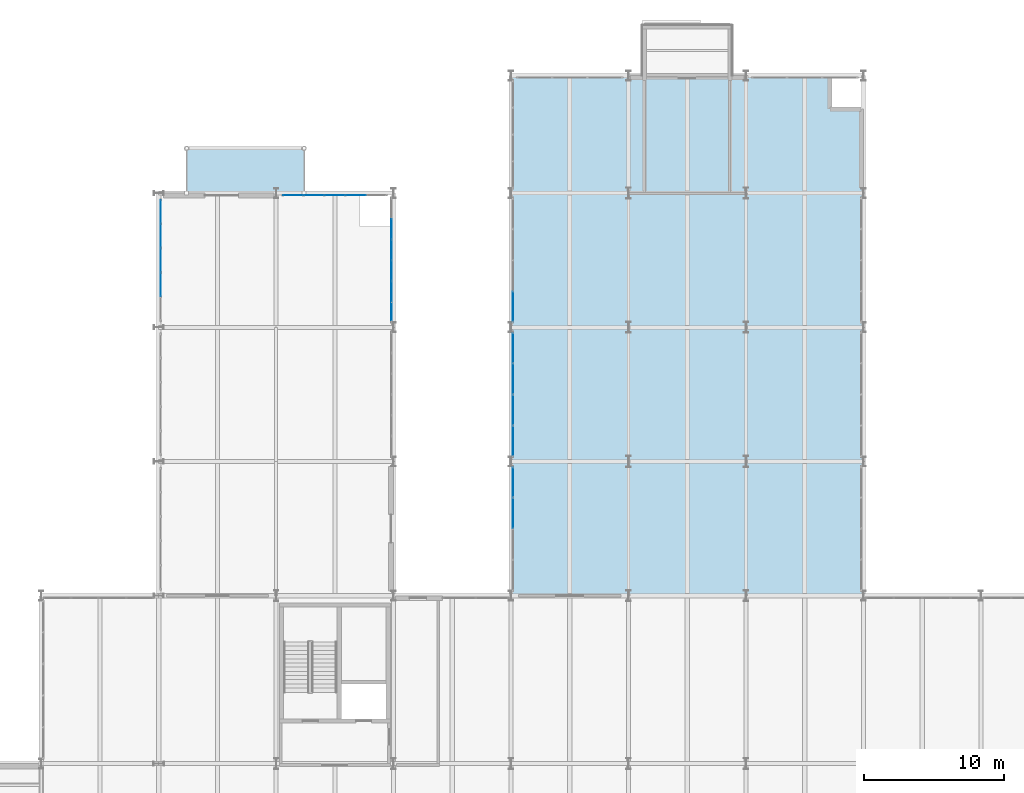
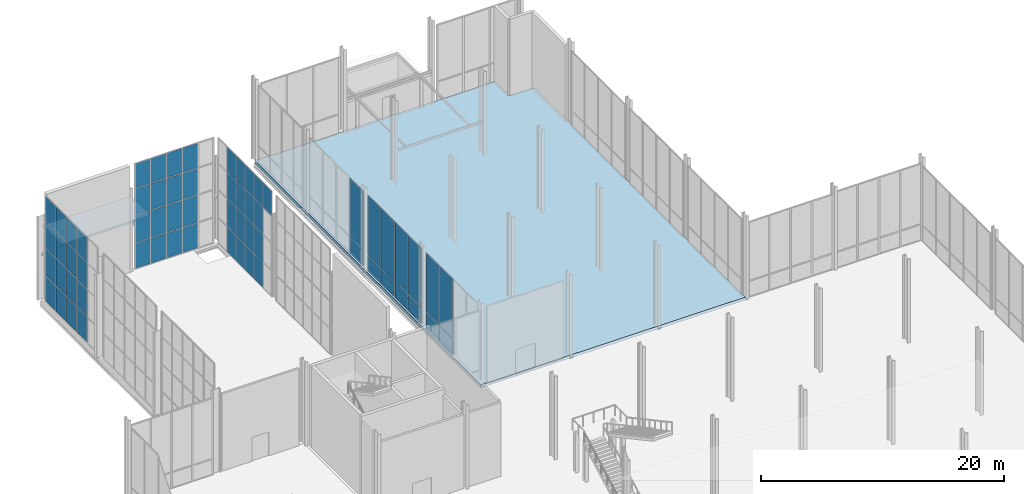
# One storey, part 104 of 131: 63 plates, 2 slabs, 6 elements without a shape of their own.
"""IFC4 building model written with IfcOpenShell, lengths in metres."""

from ifc_helpers import new_model, si_unit, direction, frame, origin, origin_2d, place, context, subcontext, project, spatial, polyline, rectangle, outline, extrude, material, layer, layer_set, type_object, element, aggregate, save


model = new_model("IFC4")

# Units and contexts
model_context = context("Model", 3, precision=1e-05, world=origin(), true_north=direction((0.0, 1.0)))
body_context = subcontext(model_context, "Body", "Model", "MODEL_VIEW")
ifc_project = project(units=[si_unit("LENGTHUNIT", "METRE"), si_unit("AREAUNIT", "SQUARE_METRE"), si_unit("VOLUMEUNIT", "CUBIC_METRE"), si_unit("PLANEANGLEUNIT", "RADIAN"), si_unit("MASSUNIT", "GRAM", prefix="KILO")], contexts=[model_context])

# Site, building, storey
site_placement = place(None, origin())
site = spatial("IfcSite", under=ifc_project, at=site_placement, CompositionType="ELEMENT")
building_placement = place(site_placement, origin())
building = spatial("IfcBuilding", under=site, at=building_placement, Name="Veltarok Museum of Natural Sciences", CompositionType="ELEMENT")
storey_placement = place(building_placement, origin())
storey = spatial("IfcBuildingStorey", under=building, at=storey_placement, Name="L00", CompositionType="ELEMENT", Elevation=0.0)

# Slabs
ifc_material_1 = material(Name="Concrete C35/45", Category="concrete")
ifc_layer_1 = layer(ifc_material_1, 0.199951171875)
ifc_layer_set_1 = layer_set([ifc_layer_1], Name="Concrete C35/45")
slab_type_1 = type_object("IfcSlabType", Name="Cantilevered Cabinet Box Roof Slab 200", PredefinedType="ROOF", material=ifc_layer_set_1)
slab_1_placement = place(storey_placement, frame((0.0, 0.0, 4.60009765625)))
element("IfcSlab", 1, at=slab_1_placement, inside=storey, type_object=slab_type_1, Name="Entrance Canopy Roof Slab CAN-N", PredefinedType="ROOF", context=body_context, shape_type="SweptSolid", body=[
    extrude(outline(polyline([(33.60009765625, 100.800048828125), (42.0, 100.800048828125), (42.0, 104.0), (33.60009765625, 104.0), (33.60009765625, 100.800048828125)])), origin(), (0.0, 0.0, 1.0), 0.199951171875),
])
ifc_layer_2 = layer(ifc_material_1, 0.300048828125)
ifc_layer_set_2 = layer_set([ifc_layer_2], Name="Concrete C35/45")
slab_type_2 = type_object("IfcSlabType", Name="Ground Level Heavy Composite Slab 300", PredefinedType="FLOOR", material=ifc_layer_set_2)
slab_2_placement = place(storey_placement, frame((0.0, 0.0, -0.300048828125)))
element("IfcSlab", 2, at=slab_2_placement, inside=storey, type_object=slab_type_2, Name="Floor Slab L00 V2N", PredefinedType="FLOOR", context=body_context, shape_type="SweptSolid", body=[
    extrude(outline(polyline([(56.800048828125, 72.0), (56.800048828125, 109.199951171875), (79.60009765625, 109.199951171875), (79.60009765625, 106.800048828125), (82.0, 106.800048828125), (82.0, 72.0), (56.800048828125, 72.0)])), origin(), (0.0, 0.0, 1.0), 0.300048828125),
])

# Curtain wall, plates
ifc_material_2 = material(Name="Low-iron triple insulated glass", Category="glass")
curtain_wall_type_1 = type_object("IfcCurtainWallType", Name="Curtain Wall System CW-PAS-N01-750x1065 (North Cafe Curtain Wall L00 750x1065cm)", PredefinedType="NOTDEFINED", material=ifc_material_2)
curtain_wall_1_placement = place(storey_placement, origin())
curtain_wall_1 = element("IfcCurtainWall", 3, at=curtain_wall_1_placement, inside=storey, type_object=curtain_wall_type_1, Name="Curtain Wall CW-PAS-N01-750x1065 CW-0020", PredefinedType="NOTDEFINED")
ifc_layer_3 = layer(ifc_material_2, 0.028076171875)
ifc_layer_set_3 = layer_set([ifc_layer_3], Name="Low-iron triple insulated glass")
plate_type = type_object("IfcPlateType", Name="Triple Low-Iron Glazed Vision Panel 28", PredefinedType="CURTAIN_PANEL", material=ifc_layer_set_3)
plate_1_placement = place(storey_placement, frame((45.699951171875, 100.64990234375, 0.06005859375), z_axis=(0.0, 0.0, 1.0), x_axis=(-1.0, 0.0, 0.0)))
plate_1 = element("IfcPlate", 4, at=plate_1_placement, type_object=plate_type, Name="CW-PAS-N01-750x1065 panel 2.1", PredefinedType="CURTAIN_PANEL", context=body_context, shape_type="SweptSolid", body=[
    extrude(rectangle(XDim=1.43994140625, YDim=0.028076171875, at=origin_2d()), origin(), (0.0, 0.0, 1.0), 2.510009765625),
])
plate_2_placement = place(storey_placement, frame((45.699951171875, 100.64990234375, 2.6298828125), z_axis=(0.0, 0.0, 1.0), x_axis=(-1.0, 0.0, 0.0)))
plate_2 = element("IfcPlate", 5, at=plate_2_placement, type_object=plate_type, Name="CW-PAS-N01-750x1065 panel 2.2", PredefinedType="CURTAIN_PANEL", context=body_context, shape_type="SweptSolid", body=[
    extrude(rectangle(XDim=1.43994140625, YDim=0.028076171875, at=origin_2d()), origin(), (0.0, 0.0, 1.0), 2.739990234375),
])
plate_3_placement = place(storey_placement, frame((45.699951171875, 100.64990234375, 5.43017578125), z_axis=(0.0, 0.0, 1.0), x_axis=(-1.0, 0.0, 0.0)))
plate_3 = element("IfcPlate", 6, at=plate_3_placement, type_object=plate_type, Name="CW-PAS-N01-750x1065 panel 2.3", PredefinedType="CURTAIN_PANEL", context=body_context, shape_type="SweptSolid", body=[
    extrude(rectangle(XDim=1.43994140625, YDim=0.028076171875, at=origin_2d()), origin(), (0.0, 0.0, 1.0), 2.639892578125),
])
plate_4_placement = place(storey_placement, frame((45.699951171875, 100.64990234375, 8.130126953125), z_axis=(0.0, 0.0, 1.0), x_axis=(-1.0, 0.0, 0.0)))
plate_4 = element("IfcPlate", 7, at=plate_4_placement, type_object=plate_type, Name="CW-PAS-N01-750x1065 panel 2.4", PredefinedType="CURTAIN_PANEL", context=body_context, shape_type="SweptSolid", body=[
    extrude(rectangle(XDim=1.43994140625, YDim=0.028076171875, at=origin_2d()), origin(), (0.0, 0.0, 1.0), 2.4599609375),
])
plate_5_placement = place(storey_placement, frame((44.199951171875, 100.64990234375, 0.06005859375), z_axis=(0.0, 0.0, 1.0), x_axis=(-1.0, 0.0, 0.0)))
plate_5 = element("IfcPlate", 8, at=plate_5_placement, type_object=plate_type, Name="CW-PAS-N01-750x1065 panel 3.1", PredefinedType="CURTAIN_PANEL", context=body_context, shape_type="SweptSolid", body=[
    extrude(rectangle(XDim=1.43994140625, YDim=0.028076171875, at=origin_2d()), origin(), (0.0, 0.0, 1.0), 2.510009765625),
])
plate_6_placement = place(storey_placement, frame((44.199951171875, 100.64990234375, 2.6298828125), z_axis=(0.0, 0.0, 1.0), x_axis=(-1.0, 0.0, 0.0)))
plate_6 = element("IfcPlate", 9, at=plate_6_placement, type_object=plate_type, Name="CW-PAS-N01-750x1065 panel 3.2", PredefinedType="CURTAIN_PANEL", context=body_context, shape_type="SweptSolid", body=[
    extrude(rectangle(XDim=1.43994140625, YDim=0.028076171875, at=origin_2d()), origin(), (0.0, 0.0, 1.0), 2.739990234375),
])
plate_7_placement = place(storey_placement, frame((44.199951171875, 100.64990234375, 5.43017578125), z_axis=(0.0, 0.0, 1.0), x_axis=(-1.0, 0.0, 0.0)))
plate_7 = element("IfcPlate", 10, at=plate_7_placement, type_object=plate_type, Name="CW-PAS-N01-750x1065 panel 3.3", PredefinedType="CURTAIN_PANEL", context=body_context, shape_type="SweptSolid", body=[
    extrude(rectangle(XDim=1.43994140625, YDim=0.028076171875, at=origin_2d()), origin(), (0.0, 0.0, 1.0), 2.639892578125),
])
plate_8_placement = place(storey_placement, frame((44.199951171875, 100.64990234375, 8.130126953125), z_axis=(0.0, 0.0, 1.0), x_axis=(-1.0, 0.0, 0.0)))
plate_8 = element("IfcPlate", 11, at=plate_8_placement, type_object=plate_type, Name="CW-PAS-N01-750x1065 panel 3.4", PredefinedType="CURTAIN_PANEL", context=body_context, shape_type="SweptSolid", body=[
    extrude(rectangle(XDim=1.43994140625, YDim=0.028076171875, at=origin_2d()), origin(), (0.0, 0.0, 1.0), 2.4599609375),
])
plate_9_placement = place(storey_placement, frame((42.699951171875, 100.64990234375, 0.06005859375), z_axis=(0.0, 0.0, 1.0), x_axis=(-1.0, 0.0, 0.0)))
plate_9 = element("IfcPlate", 12, at=plate_9_placement, type_object=plate_type, Name="CW-PAS-N01-750x1065 panel 4.1", PredefinedType="CURTAIN_PANEL", context=body_context, shape_type="SweptSolid", body=[
    extrude(rectangle(XDim=1.43994140625, YDim=0.028076171875, at=origin_2d()), origin(), (0.0, 0.0, 1.0), 2.510009765625),
])
plate_10_placement = place(storey_placement, frame((42.699951171875, 100.64990234375, 2.6298828125), z_axis=(0.0, 0.0, 1.0), x_axis=(-1.0, 0.0, 0.0)))
plate_10 = element("IfcPlate", 13, at=plate_10_placement, type_object=plate_type, Name="CW-PAS-N01-750x1065 panel 4.2", PredefinedType="CURTAIN_PANEL", context=body_context, shape_type="SweptSolid", body=[
    extrude(rectangle(XDim=1.43994140625, YDim=0.028076171875, at=origin_2d()), origin(), (0.0, 0.0, 1.0), 2.739990234375),
])
plate_11_placement = place(storey_placement, frame((42.699951171875, 100.64990234375, 5.43017578125), z_axis=(0.0, 0.0, 1.0), x_axis=(-1.0, 0.0, 0.0)))
plate_11 = element("IfcPlate", 14, at=plate_11_placement, type_object=plate_type, Name="CW-PAS-N01-750x1065 panel 4.3", PredefinedType="CURTAIN_PANEL", context=body_context, shape_type="SweptSolid", body=[
    extrude(rectangle(XDim=1.43994140625, YDim=0.028076171875, at=origin_2d()), origin(), (0.0, 0.0, 1.0), 2.639892578125),
])
plate_12_placement = place(storey_placement, frame((42.699951171875, 100.64990234375, 8.130126953125), z_axis=(0.0, 0.0, 1.0), x_axis=(-1.0, 0.0, 0.0)))
plate_12 = element("IfcPlate", 15, at=plate_12_placement, type_object=plate_type, Name="CW-PAS-N01-750x1065 panel 4.4", PredefinedType="CURTAIN_PANEL", context=body_context, shape_type="SweptSolid", body=[
    extrude(rectangle(XDim=1.43994140625, YDim=0.028076171875, at=origin_2d()), origin(), (0.0, 0.0, 1.0), 2.4599609375),
])
plate_13_placement = place(storey_placement, frame((41.215087890625, 100.64990234375, 0.06005859375), z_axis=(0.0, 0.0, 1.0), x_axis=(-1.0, 0.0, 0.0)))
plate_13 = element("IfcPlate", 16, at=plate_13_placement, type_object=plate_type, Name="CW-PAS-N01-750x1065 panel 5.1", PredefinedType="CURTAIN_PANEL", context=body_context, shape_type="SweptSolid", body=[
    extrude(rectangle(XDim=1.409912109375, YDim=0.028076171875, at=origin_2d()), origin(), (0.0, 0.0, 1.0), 2.510009765625),
])
plate_14_placement = place(storey_placement, frame((41.215087890625, 100.64990234375, 2.6298828125), z_axis=(0.0, 0.0, 1.0), x_axis=(-1.0, 0.0, 0.0)))
plate_14 = element("IfcPlate", 17, at=plate_14_placement, type_object=plate_type, Name="CW-PAS-N01-750x1065 panel 5.2", PredefinedType="CURTAIN_PANEL", context=body_context, shape_type="SweptSolid", body=[
    extrude(rectangle(XDim=1.409912109375, YDim=0.028076171875, at=origin_2d()), origin(), (0.0, 0.0, 1.0), 2.739990234375),
])
plate_15_placement = place(storey_placement, frame((41.215087890625, 100.64990234375, 5.43017578125), z_axis=(0.0, 0.0, 1.0), x_axis=(-1.0, 0.0, 0.0)))
plate_15 = element("IfcPlate", 18, at=plate_15_placement, type_object=plate_type, Name="CW-PAS-N01-750x1065 panel 5.3", PredefinedType="CURTAIN_PANEL", context=body_context, shape_type="SweptSolid", body=[
    extrude(rectangle(XDim=1.409912109375, YDim=0.028076171875, at=origin_2d()), origin(), (0.0, 0.0, 1.0), 2.639892578125),
])
plate_16_placement = place(storey_placement, frame((41.215087890625, 100.64990234375, 8.130126953125), z_axis=(0.0, 0.0, 1.0), x_axis=(-1.0, 0.0, 0.0)))
plate_16 = element("IfcPlate", 19, at=plate_16_placement, type_object=plate_type, Name="CW-PAS-N01-750x1065 panel 5.4", PredefinedType="CURTAIN_PANEL", context=body_context, shape_type="SweptSolid", body=[
    extrude(rectangle(XDim=1.409912109375, YDim=0.028076171875, at=origin_2d()), origin(), (0.0, 0.0, 1.0), 2.4599609375),
])
aggregate(curtain_wall_1, [plate_1, plate_2, plate_3, plate_4, plate_5, plate_6, plate_7, plate_8, plate_9, plate_10, plate_11, plate_12, plate_13, plate_14, plate_15, plate_16])

curtain_wall_type_2 = type_object("IfcCurtainWallType", Name="Curtain Wall System CW-PAS-NW-KL-870x1065 (Sculpture Court Passage K-L 870x1065cm)", PredefinedType="NOTDEFINED", material=ifc_material_2)
curtain_wall_2_placement = place(storey_placement, origin())
curtain_wall_2 = element("IfcCurtainWall", 20, at=curtain_wall_2_placement, inside=storey, type_object=curtain_wall_type_2, Name="Curtain Wall CW-PAS-NW-KL-870x1065 CW-0026", PredefinedType="NOTDEFINED")
plate_17_placement = place(storey_placement, frame((31.75, 94.260009765625, 0.06005859375), z_axis=(0.0, 0.0, 1.0), x_axis=(0.0, 1.0, 0.0)))
plate_17 = element("IfcPlate", 21, at=plate_17_placement, type_object=plate_type, Name="CW-PAS-NW-KL-870x1065 panel 2.1", PredefinedType="CURTAIN_PANEL", context=body_context, shape_type="SweptSolid", body=[
    extrude(rectangle(XDim=1.679931640625, YDim=0.028076171875, at=origin_2d()), origin(), (0.0, 0.0, 1.0), 2.510009765625),
])
plate_18_placement = place(storey_placement, frame((31.75, 94.260009765625, 2.6298828125), z_axis=(0.0, 0.0, 1.0), x_axis=(0.0, 1.0, 0.0)))
plate_18 = element("IfcPlate", 22, at=plate_18_placement, type_object=plate_type, Name="CW-PAS-NW-KL-870x1065 panel 2.2", PredefinedType="CURTAIN_PANEL", context=body_context, shape_type="SweptSolid", body=[
    extrude(rectangle(XDim=1.679931640625, YDim=0.028076171875, at=origin_2d()), origin(), (0.0, 0.0, 1.0), 2.739990234375),
])
plate_19_placement = place(storey_placement, frame((31.75, 94.260009765625, 5.43017578125), z_axis=(0.0, 0.0, 1.0), x_axis=(0.0, 1.0, 0.0)))
plate_19 = element("IfcPlate", 23, at=plate_19_placement, type_object=plate_type, Name="CW-PAS-NW-KL-870x1065 panel 2.3", PredefinedType="CURTAIN_PANEL", context=body_context, shape_type="SweptSolid", body=[
    extrude(rectangle(XDim=1.679931640625, YDim=0.028076171875, at=origin_2d()), origin(), (0.0, 0.0, 1.0), 2.639892578125),
])
plate_20_placement = place(storey_placement, frame((31.75, 94.260009765625, 8.130126953125), z_axis=(0.0, 0.0, 1.0), x_axis=(0.0, 1.0, 0.0)))
plate_20 = element("IfcPlate", 24, at=plate_20_placement, type_object=plate_type, Name="CW-PAS-NW-KL-870x1065 panel 2.4", PredefinedType="CURTAIN_PANEL", context=body_context, shape_type="SweptSolid", body=[
    extrude(rectangle(XDim=1.679931640625, YDim=0.028076171875, at=origin_2d()), origin(), (0.0, 0.0, 1.0), 2.4599609375),
])
plate_21_placement = place(storey_placement, frame((31.75, 96.0, 0.06005859375), z_axis=(0.0, 0.0, 1.0), x_axis=(0.0, 1.0, 0.0)))
plate_21 = element("IfcPlate", 25, at=plate_21_placement, type_object=plate_type, Name="CW-PAS-NW-KL-870x1065 panel 3.1", PredefinedType="CURTAIN_PANEL", context=body_context, shape_type="SweptSolid", body=[
    extrude(rectangle(XDim=1.679931640625, YDim=0.028076171875, at=origin_2d()), origin(), (0.0, 0.0, 1.0), 2.510009765625),
])
plate_22_placement = place(storey_placement, frame((31.75, 96.0, 2.6298828125), z_axis=(0.0, 0.0, 1.0), x_axis=(0.0, 1.0, 0.0)))
plate_22 = element("IfcPlate", 26, at=plate_22_placement, type_object=plate_type, Name="CW-PAS-NW-KL-870x1065 panel 3.2", PredefinedType="CURTAIN_PANEL", context=body_context, shape_type="SweptSolid", body=[
    extrude(rectangle(XDim=1.679931640625, YDim=0.028076171875, at=origin_2d()), origin(), (0.0, 0.0, 1.0), 2.739990234375),
])
plate_23_placement = place(storey_placement, frame((31.75, 96.0, 5.43017578125), z_axis=(0.0, 0.0, 1.0), x_axis=(0.0, 1.0, 0.0)))
plate_23 = element("IfcPlate", 27, at=plate_23_placement, type_object=plate_type, Name="CW-PAS-NW-KL-870x1065 panel 3.3", PredefinedType="CURTAIN_PANEL", context=body_context, shape_type="SweptSolid", body=[
    extrude(rectangle(XDim=1.679931640625, YDim=0.028076171875, at=origin_2d()), origin(), (0.0, 0.0, 1.0), 2.639892578125),
])
plate_24_placement = place(storey_placement, frame((31.75, 96.0, 8.130126953125), z_axis=(0.0, 0.0, 1.0), x_axis=(0.0, 1.0, 0.0)))
plate_24 = element("IfcPlate", 28, at=plate_24_placement, type_object=plate_type, Name="CW-PAS-NW-KL-870x1065 panel 3.4", PredefinedType="CURTAIN_PANEL", context=body_context, shape_type="SweptSolid", body=[
    extrude(rectangle(XDim=1.679931640625, YDim=0.028076171875, at=origin_2d()), origin(), (0.0, 0.0, 1.0), 2.4599609375),
])
plate_25_placement = place(storey_placement, frame((31.75, 97.739990234375, 0.06005859375), z_axis=(0.0, 0.0, 1.0), x_axis=(0.0, 1.0, 0.0)))
plate_25 = element("IfcPlate", 29, at=plate_25_placement, type_object=plate_type, Name="CW-PAS-NW-KL-870x1065 panel 4.1", PredefinedType="CURTAIN_PANEL", context=body_context, shape_type="SweptSolid", body=[
    extrude(rectangle(XDim=1.679931640625, YDim=0.028076171875, at=origin_2d()), origin(), (0.0, 0.0, 1.0), 2.510009765625),
])
plate_26_placement = place(storey_placement, frame((31.75, 97.739990234375, 2.6298828125), z_axis=(0.0, 0.0, 1.0), x_axis=(0.0, 1.0, 0.0)))
plate_26 = element("IfcPlate", 30, at=plate_26_placement, type_object=plate_type, Name="CW-PAS-NW-KL-870x1065 panel 4.2", PredefinedType="CURTAIN_PANEL", context=body_context, shape_type="SweptSolid", body=[
    extrude(rectangle(XDim=1.679931640625, YDim=0.028076171875, at=origin_2d()), origin(), (0.0, 0.0, 1.0), 2.739990234375),
])
plate_27_placement = place(storey_placement, frame((31.75, 97.739990234375, 5.43017578125), z_axis=(0.0, 0.0, 1.0), x_axis=(0.0, 1.0, 0.0)))
plate_27 = element("IfcPlate", 31, at=plate_27_placement, type_object=plate_type, Name="CW-PAS-NW-KL-870x1065 panel 4.3", PredefinedType="CURTAIN_PANEL", context=body_context, shape_type="SweptSolid", body=[
    extrude(rectangle(XDim=1.679931640625, YDim=0.028076171875, at=origin_2d()), origin(), (0.0, 0.0, 1.0), 2.639892578125),
])
plate_28_placement = place(storey_placement, frame((31.75, 97.739990234375, 8.130126953125), z_axis=(0.0, 0.0, 1.0), x_axis=(0.0, 1.0, 0.0)))
plate_28 = element("IfcPlate", 32, at=plate_28_placement, type_object=plate_type, Name="CW-PAS-NW-KL-870x1065 panel 4.4", PredefinedType="CURTAIN_PANEL", context=body_context, shape_type="SweptSolid", body=[
    extrude(rectangle(XDim=1.679931640625, YDim=0.028076171875, at=origin_2d()), origin(), (0.0, 0.0, 1.0), 2.4599609375),
])
plate_29_placement = place(storey_placement, frame((31.75, 99.465087890625, 0.06005859375), z_axis=(0.0, 0.0, 1.0), x_axis=(0.0, 1.0, 0.0)))
plate_29 = element("IfcPlate", 33, at=plate_29_placement, type_object=plate_type, Name="CW-PAS-NW-KL-870x1065 panel 5.1", PredefinedType="CURTAIN_PANEL", context=body_context, shape_type="SweptSolid", body=[
    extrude(rectangle(XDim=1.64990234375, YDim=0.028076171875, at=origin_2d()), origin(), (0.0, 0.0, 1.0), 2.510009765625),
])
plate_30_placement = place(storey_placement, frame((31.75, 99.465087890625, 2.6298828125), z_axis=(0.0, 0.0, 1.0), x_axis=(0.0, 1.0, 0.0)))
plate_30 = element("IfcPlate", 34, at=plate_30_placement, type_object=plate_type, Name="CW-PAS-NW-KL-870x1065 panel 5.2", PredefinedType="CURTAIN_PANEL", context=body_context, shape_type="SweptSolid", body=[
    extrude(rectangle(XDim=1.64990234375, YDim=0.028076171875, at=origin_2d()), origin(), (0.0, 0.0, 1.0), 2.739990234375),
])
plate_31_placement = place(storey_placement, frame((31.75, 99.465087890625, 5.43017578125), z_axis=(0.0, 0.0, 1.0), x_axis=(0.0, 1.0, 0.0)))
plate_31 = element("IfcPlate", 35, at=plate_31_placement, type_object=plate_type, Name="CW-PAS-NW-KL-870x1065 panel 5.3", PredefinedType="CURTAIN_PANEL", context=body_context, shape_type="SweptSolid", body=[
    extrude(rectangle(XDim=1.64990234375, YDim=0.028076171875, at=origin_2d()), origin(), (0.0, 0.0, 1.0), 2.639892578125),
])
plate_32_placement = place(storey_placement, frame((31.75, 99.465087890625, 8.130126953125), z_axis=(0.0, 0.0, 1.0), x_axis=(0.0, 1.0, 0.0)))
plate_32 = element("IfcPlate", 36, at=plate_32_placement, type_object=plate_type, Name="CW-PAS-NW-KL-870x1065 panel 5.4", PredefinedType="CURTAIN_PANEL", context=body_context, shape_type="SweptSolid", body=[
    extrude(rectangle(XDim=1.64990234375, YDim=0.028076171875, at=origin_2d()), origin(), (0.0, 0.0, 1.0), 2.4599609375),
])
aggregate(curtain_wall_2, [plate_17, plate_18, plate_19, plate_20, plate_21, plate_22, plate_23, plate_24, plate_25, plate_26, plate_27, plate_28, plate_29, plate_30, plate_31, plate_32])

curtain_wall_type_3 = type_object("IfcCurtainWallType", Name="Curtain Wall System CW-PAS-NE-KL-890x1065 (Sculpture Court East Passage K-L 890x1065cm)", PredefinedType="NOTDEFINED", material=ifc_material_2)
curtain_wall_3_placement = place(storey_placement, origin())
curtain_wall_3 = element("IfcCurtainWall", 37, at=curtain_wall_3_placement, inside=storey, type_object=curtain_wall_type_3, Name="Curtain Wall CW-PAS-NE-KL-890x1065 CW-0048", PredefinedType="NOTDEFINED")
plate_33_placement = place(storey_placement, frame((48.25, 92.306640625, 8.130126953125), z_axis=(0.0, 0.0, 1.0), x_axis=(0.0, 1.0, 0.0)))
plate_33 = element("IfcPlate", 38, at=plate_33_placement, type_object=plate_type, Name="CW-PAS-NE-KL-890x1065 panel 1.4", PredefinedType="CURTAIN_PANEL", context=body_context, shape_type="SweptSolid", body=[
    extrude(rectangle(XDim=1.393310546875, YDim=0.028076171875, at=origin_2d()), origin(), (0.0, 0.0, 1.0), 2.4599609375),
])
plate_34_placement = place(storey_placement, frame((48.25, 93.77490234375, 0.06005859375), z_axis=(0.0, 0.0, 1.0), x_axis=(0.0, 1.0, 0.0)))
plate_34 = element("IfcPlate", 39, at=plate_34_placement, type_object=plate_type, Name="CW-PAS-NE-KL-890x1065 panel 2.1", PredefinedType="CURTAIN_PANEL", context=body_context, shape_type="SweptSolid", body=[
    extrude(rectangle(XDim=1.42333984375, YDim=0.028076171875, at=origin_2d()), origin(), (0.0, 0.0, 1.0), 2.510009765625),
])
plate_35_placement = place(storey_placement, frame((48.25, 93.77490234375, 2.6298828125), z_axis=(0.0, 0.0, 1.0), x_axis=(0.0, 1.0, 0.0)))
plate_35 = element("IfcPlate", 40, at=plate_35_placement, type_object=plate_type, Name="CW-PAS-NE-KL-890x1065 panel 2.2", PredefinedType="CURTAIN_PANEL", context=body_context, shape_type="SweptSolid", body=[
    extrude(rectangle(XDim=1.42333984375, YDim=0.028076171875, at=origin_2d()), origin(), (0.0, 0.0, 1.0), 2.739990234375),
])
plate_36_placement = place(storey_placement, frame((48.25, 93.77490234375, 5.43017578125), z_axis=(0.0, 0.0, 1.0), x_axis=(0.0, 1.0, 0.0)))
plate_36 = element("IfcPlate", 41, at=plate_36_placement, type_object=plate_type, Name="CW-PAS-NE-KL-890x1065 panel 2.3", PredefinedType="CURTAIN_PANEL", context=body_context, shape_type="SweptSolid", body=[
    extrude(rectangle(XDim=1.42333984375, YDim=0.028076171875, at=origin_2d()), origin(), (0.0, 0.0, 1.0), 2.639892578125),
])
plate_37_placement = place(storey_placement, frame((48.25, 93.77490234375, 8.130126953125), z_axis=(0.0, 0.0, 1.0), x_axis=(0.0, 1.0, 0.0)))
plate_37 = element("IfcPlate", 42, at=plate_37_placement, type_object=plate_type, Name="CW-PAS-NE-KL-890x1065 panel 2.4", PredefinedType="CURTAIN_PANEL", context=body_context, shape_type="SweptSolid", body=[
    extrude(rectangle(XDim=1.42333984375, YDim=0.028076171875, at=origin_2d()), origin(), (0.0, 0.0, 1.0), 2.4599609375),
])
plate_38_placement = place(storey_placement, frame((48.25, 95.25830078125, 0.06005859375), z_axis=(0.0, 0.0, 1.0), x_axis=(0.0, 1.0, 0.0)))
plate_38 = element("IfcPlate", 43, at=plate_38_placement, type_object=plate_type, Name="CW-PAS-NE-KL-890x1065 panel 3.1", PredefinedType="CURTAIN_PANEL", context=body_context, shape_type="SweptSolid", body=[
    extrude(rectangle(XDim=1.42333984375, YDim=0.028076171875, at=origin_2d()), origin(), (0.0, 0.0, 1.0), 2.510009765625),
])
plate_39_placement = place(storey_placement, frame((48.25, 95.25830078125, 2.6298828125), z_axis=(0.0, 0.0, 1.0), x_axis=(0.0, 1.0, 0.0)))
plate_39 = element("IfcPlate", 44, at=plate_39_placement, type_object=plate_type, Name="CW-PAS-NE-KL-890x1065 panel 3.2", PredefinedType="CURTAIN_PANEL", context=body_context, shape_type="SweptSolid", body=[
    extrude(rectangle(XDim=1.42333984375, YDim=0.028076171875, at=origin_2d()), origin(), (0.0, 0.0, 1.0), 2.739990234375),
])
plate_40_placement = place(storey_placement, frame((48.25, 95.25830078125, 5.43017578125), z_axis=(0.0, 0.0, 1.0), x_axis=(0.0, 1.0, 0.0)))
plate_40 = element("IfcPlate", 45, at=plate_40_placement, type_object=plate_type, Name="CW-PAS-NE-KL-890x1065 panel 3.3", PredefinedType="CURTAIN_PANEL", context=body_context, shape_type="SweptSolid", body=[
    extrude(rectangle(XDim=1.42333984375, YDim=0.028076171875, at=origin_2d()), origin(), (0.0, 0.0, 1.0), 2.639892578125),
])
plate_41_placement = place(storey_placement, frame((48.25, 95.25830078125, 8.130126953125), z_axis=(0.0, 0.0, 1.0), x_axis=(0.0, 1.0, 0.0)))
plate_41 = element("IfcPlate", 46, at=plate_41_placement, type_object=plate_type, Name="CW-PAS-NE-KL-890x1065 panel 3.4", PredefinedType="CURTAIN_PANEL", context=body_context, shape_type="SweptSolid", body=[
    extrude(rectangle(XDim=1.42333984375, YDim=0.028076171875, at=origin_2d()), origin(), (0.0, 0.0, 1.0), 2.4599609375),
])
plate_42_placement = place(storey_placement, frame((48.25, 96.74169921875, 0.06005859375), z_axis=(0.0, 0.0, 1.0), x_axis=(0.0, 1.0, 0.0)))
plate_42 = element("IfcPlate", 47, at=plate_42_placement, type_object=plate_type, Name="CW-PAS-NE-KL-890x1065 panel 4.1", PredefinedType="CURTAIN_PANEL", context=body_context, shape_type="SweptSolid", body=[
    extrude(rectangle(XDim=1.42333984375, YDim=0.028076171875, at=origin_2d()), origin(), (0.0, 0.0, 1.0), 2.510009765625),
])
plate_43_placement = place(storey_placement, frame((48.25, 96.74169921875, 2.6298828125), z_axis=(0.0, 0.0, 1.0), x_axis=(0.0, 1.0, 0.0)))
plate_43 = element("IfcPlate", 48, at=plate_43_placement, type_object=plate_type, Name="CW-PAS-NE-KL-890x1065 panel 4.2", PredefinedType="CURTAIN_PANEL", context=body_context, shape_type="SweptSolid", body=[
    extrude(rectangle(XDim=1.42333984375, YDim=0.028076171875, at=origin_2d()), origin(), (0.0, 0.0, 1.0), 2.739990234375),
])
plate_44_placement = place(storey_placement, frame((48.25, 96.74169921875, 5.43017578125), z_axis=(0.0, 0.0, 1.0), x_axis=(0.0, 1.0, 0.0)))
plate_44 = element("IfcPlate", 49, at=plate_44_placement, type_object=plate_type, Name="CW-PAS-NE-KL-890x1065 panel 4.3", PredefinedType="CURTAIN_PANEL", context=body_context, shape_type="SweptSolid", body=[
    extrude(rectangle(XDim=1.42333984375, YDim=0.028076171875, at=origin_2d()), origin(), (0.0, 0.0, 1.0), 2.639892578125),
])
plate_45_placement = place(storey_placement, frame((48.25, 96.74169921875, 8.130126953125), z_axis=(0.0, 0.0, 1.0), x_axis=(0.0, 1.0, 0.0)))
plate_45 = element("IfcPlate", 50, at=plate_45_placement, type_object=plate_type, Name="CW-PAS-NE-KL-890x1065 panel 4.4", PredefinedType="CURTAIN_PANEL", context=body_context, shape_type="SweptSolid", body=[
    extrude(rectangle(XDim=1.42333984375, YDim=0.028076171875, at=origin_2d()), origin(), (0.0, 0.0, 1.0), 2.4599609375),
])
plate_46_placement = place(storey_placement, frame((48.25, 98.22509765625, 0.06005859375), z_axis=(0.0, 0.0, 1.0), x_axis=(0.0, 1.0, 0.0)))
plate_46 = element("IfcPlate", 51, at=plate_46_placement, type_object=plate_type, Name="CW-PAS-NE-KL-890x1065 panel 5.1", PredefinedType="CURTAIN_PANEL", context=body_context, shape_type="SweptSolid", body=[
    extrude(rectangle(XDim=1.42333984375, YDim=0.028076171875, at=origin_2d()), origin(), (0.0, 0.0, 1.0), 2.510009765625),
])
plate_47_placement = place(storey_placement, frame((48.25, 98.22509765625, 2.6298828125), z_axis=(0.0, 0.0, 1.0), x_axis=(0.0, 1.0, 0.0)))
plate_47 = element("IfcPlate", 52, at=plate_47_placement, type_object=plate_type, Name="CW-PAS-NE-KL-890x1065 panel 5.2", PredefinedType="CURTAIN_PANEL", context=body_context, shape_type="SweptSolid", body=[
    extrude(rectangle(XDim=1.42333984375, YDim=0.028076171875, at=origin_2d()), origin(), (0.0, 0.0, 1.0), 2.739990234375),
])
plate_48_placement = place(storey_placement, frame((48.25, 98.22509765625, 5.43017578125), z_axis=(0.0, 0.0, 1.0), x_axis=(0.0, 1.0, 0.0)))
plate_48 = element("IfcPlate", 53, at=plate_48_placement, type_object=plate_type, Name="CW-PAS-NE-KL-890x1065 panel 5.3", PredefinedType="CURTAIN_PANEL", context=body_context, shape_type="SweptSolid", body=[
    extrude(rectangle(XDim=1.42333984375, YDim=0.028076171875, at=origin_2d()), origin(), (0.0, 0.0, 1.0), 2.639892578125),
])
plate_49_placement = place(storey_placement, frame((48.25, 98.22509765625, 8.130126953125), z_axis=(0.0, 0.0, 1.0), x_axis=(0.0, 1.0, 0.0)))
plate_49 = element("IfcPlate", 54, at=plate_49_placement, type_object=plate_type, Name="CW-PAS-NE-KL-890x1065 panel 5.4", PredefinedType="CURTAIN_PANEL", context=body_context, shape_type="SweptSolid", body=[
    extrude(rectangle(XDim=1.42333984375, YDim=0.028076171875, at=origin_2d()), origin(), (0.0, 0.0, 1.0), 2.4599609375),
])
aggregate(curtain_wall_3, [plate_33, plate_34, plate_35, plate_36, plate_37, plate_38, plate_39, plate_40, plate_41, plate_42, plate_43, plate_44, plate_45, plate_46, plate_47, plate_48, plate_49])

curtain_wall_type_4 = type_object("IfcCurtainWallType", Name="Curtain Wall System CW-V2NPW-L00-1-890x773 (CW-V2NPW L00 890x773cm)", PredefinedType="NOTDEFINED", material=ifc_material_2)
curtain_wall_4_placement = place(storey_placement, origin())
curtain_wall_4 = element("IfcCurtainWall", 55, at=curtain_wall_4_placement, inside=storey, type_object=curtain_wall_type_4, Name="Curtain Wall CW-V2NPW-L00-1-890x773 CW-0213", PredefinedType="NOTDEFINED")
plate_50_placement = place(storey_placement, frame((56.949951171875, 77.91259765625, 0.057861328125), z_axis=(0.0, 0.0, 1.0), x_axis=(0.0, 1.0, 0.0)))
plate_50 = element("IfcPlate", 56, at=plate_50_placement, type_object=plate_type, Name="CW-V2NPW-L00-1-890x773 panel 3.1", PredefinedType="CURTAIN_PANEL", context=body_context, shape_type="SweptSolid", body=[
    extrude(rectangle(XDim=2.1650390625, YDim=0.028076171875, at=origin_2d()), origin(), (0.0, 0.0, 1.0), 1.56005859375),
])
plate_51_placement = place(storey_placement, frame((56.949951171875, 77.91259765625, 1.67822265625), z_axis=(0.0, 0.0, 1.0), x_axis=(0.0, 1.0, 0.0)))
plate_51 = element("IfcPlate", 57, at=plate_51_placement, type_object=plate_type, Name="CW-V2NPW-L00-1-890x773 panel 3.2", PredefinedType="CURTAIN_PANEL", context=body_context, shape_type="SweptSolid", body=[
    extrude(rectangle(XDim=2.1650390625, YDim=0.028076171875, at=origin_2d()), origin(), (0.0, 0.0, 1.0), 5.991943359375),
])
plate_52_placement = place(storey_placement, frame((56.949951171875, 80.12255859375, 0.057861328125), z_axis=(0.0, 0.0, 1.0), x_axis=(0.0, 1.0, 0.0)))
plate_52 = element("IfcPlate", 58, at=plate_52_placement, type_object=plate_type, Name="CW-V2NPW-L00-1-890x773 panel 4.1", PredefinedType="CURTAIN_PANEL", context=body_context, shape_type="SweptSolid", body=[
    extrude(rectangle(XDim=2.135009765625, YDim=0.028076171875, at=origin_2d()), origin(), (0.0, 0.0, 1.0), 1.56005859375),
])
plate_53_placement = place(storey_placement, frame((56.949951171875, 80.12255859375, 1.67822265625), z_axis=(0.0, 0.0, 1.0), x_axis=(0.0, 1.0, 0.0)))
plate_53 = element("IfcPlate", 59, at=plate_53_placement, type_object=plate_type, Name="CW-V2NPW-L00-1-890x773 panel 4.2", PredefinedType="CURTAIN_PANEL", context=body_context, shape_type="SweptSolid", body=[
    extrude(rectangle(XDim=2.135009765625, YDim=0.028076171875, at=origin_2d()), origin(), (0.0, 0.0, 1.0), 5.991943359375),
])
aggregate(curtain_wall_4, [plate_50, plate_51, plate_52, plate_53])

curtain_wall_type_5 = type_object("IfcCurtainWallType", Name="Curtain Wall System CW-V2NPW-L00-2-890x768 (CW-V2NPW L00 890x768cm)", PredefinedType="NOTDEFINED", material=ifc_material_2)
curtain_wall_5_placement = place(storey_placement, origin())
curtain_wall_5 = element("IfcCurtainWall", 60, at=curtain_wall_5_placement, inside=storey, type_object=curtain_wall_type_5, Name="Curtain Wall CW-V2NPW-L00-2-890x768 CW-0214", PredefinedType="NOTDEFINED")
plate_54_placement = place(storey_placement, frame((56.949951171875, 83.077392578125, 0.057861328125), z_axis=(0.0, 0.0, 1.0), x_axis=(0.0, 1.0, 0.0)))
plate_54 = element("IfcPlate", 61, at=plate_54_placement, type_object=plate_type, Name="CW-V2NPW-L00-2-890x768 panel 1.1", PredefinedType="CURTAIN_PANEL", context=body_context, shape_type="SweptSolid", body=[
    extrude(rectangle(XDim=2.135009765625, YDim=0.028076171875, at=origin_2d()), origin(), (0.0, 0.0, 1.0), 1.56005859375),
])
plate_55_placement = place(storey_placement, frame((56.949951171875, 83.077392578125, 1.677978515625), z_axis=(0.0, 0.0, 1.0), x_axis=(0.0, 1.0, 0.0)))
plate_55 = element("IfcPlate", 62, at=plate_55_placement, type_object=plate_type, Name="CW-V2NPW-L00-2-890x768 panel 1.2", PredefinedType="CURTAIN_PANEL", context=body_context, shape_type="SweptSolid", body=[
    extrude(rectangle(XDim=2.135009765625, YDim=0.028076171875, at=origin_2d()), origin(), (0.0, 0.0, 1.0), 5.94189453125),
])
plate_56_placement = place(storey_placement, frame((56.949951171875, 85.28759765625, 0.057861328125), z_axis=(0.0, 0.0, 1.0), x_axis=(0.0, 1.0, 0.0)))
plate_56 = element("IfcPlate", 63, at=plate_56_placement, type_object=plate_type, Name="CW-V2NPW-L00-2-890x768 panel 2.1", PredefinedType="CURTAIN_PANEL", context=body_context, shape_type="SweptSolid", body=[
    extrude(rectangle(XDim=2.1650390625, YDim=0.028076171875, at=origin_2d()), origin(), (0.0, 0.0, 1.0), 1.56005859375),
])
plate_57_placement = place(storey_placement, frame((56.949951171875, 85.28759765625, 1.677978515625), z_axis=(0.0, 0.0, 1.0), x_axis=(0.0, 1.0, 0.0)))
plate_57 = element("IfcPlate", 64, at=plate_57_placement, type_object=plate_type, Name="CW-V2NPW-L00-2-890x768 panel 2.2", PredefinedType="CURTAIN_PANEL", context=body_context, shape_type="SweptSolid", body=[
    extrude(rectangle(XDim=2.1650390625, YDim=0.028076171875, at=origin_2d()), origin(), (0.0, 0.0, 1.0), 5.94189453125),
])
plate_58_placement = place(storey_placement, frame((56.949951171875, 87.512451171875, 0.057861328125), z_axis=(0.0, 0.0, 1.0), x_axis=(0.0, 1.0, 0.0)))
plate_58 = element("IfcPlate", 65, at=plate_58_placement, type_object=plate_type, Name="CW-V2NPW-L00-2-890x768 panel 3.1", PredefinedType="CURTAIN_PANEL", context=body_context, shape_type="SweptSolid", body=[
    extrude(rectangle(XDim=2.1650390625, YDim=0.028076171875, at=origin_2d()), origin(), (0.0, 0.0, 1.0), 1.56005859375),
])
plate_59_placement = place(storey_placement, frame((56.949951171875, 87.512451171875, 1.677978515625), z_axis=(0.0, 0.0, 1.0), x_axis=(0.0, 1.0, 0.0)))
plate_59 = element("IfcPlate", 66, at=plate_59_placement, type_object=plate_type, Name="CW-V2NPW-L00-2-890x768 panel 3.2", PredefinedType="CURTAIN_PANEL", context=body_context, shape_type="SweptSolid", body=[
    extrude(rectangle(XDim=2.1650390625, YDim=0.028076171875, at=origin_2d()), origin(), (0.0, 0.0, 1.0), 5.94189453125),
])
plate_60_placement = place(storey_placement, frame((56.949951171875, 89.722412109375, 0.057861328125), z_axis=(0.0, 0.0, 1.0), x_axis=(0.0, 1.0, 0.0)))
plate_60 = element("IfcPlate", 67, at=plate_60_placement, type_object=plate_type, Name="CW-V2NPW-L00-2-890x768 panel 4.1", PredefinedType="CURTAIN_PANEL", context=body_context, shape_type="SweptSolid", body=[
    extrude(rectangle(XDim=2.135009765625, YDim=0.028076171875, at=origin_2d()), origin(), (0.0, 0.0, 1.0), 1.56005859375),
])
plate_61_placement = place(storey_placement, frame((56.949951171875, 89.722412109375, 1.677978515625), z_axis=(0.0, 0.0, 1.0), x_axis=(0.0, 1.0, 0.0)))
plate_61 = element("IfcPlate", 68, at=plate_61_placement, type_object=plate_type, Name="CW-V2NPW-L00-2-890x768 panel 4.2", PredefinedType="CURTAIN_PANEL", context=body_context, shape_type="SweptSolid", body=[
    extrude(rectangle(XDim=2.135009765625, YDim=0.028076171875, at=origin_2d()), origin(), (0.0, 0.0, 1.0), 5.94189453125),
])
aggregate(curtain_wall_5, [plate_54, plate_55, plate_56, plate_57, plate_58, plate_59, plate_60, plate_61])

curtain_wall_type_6 = type_object("IfcCurtainWallType", Name="Curtain Wall System CW-V2NPW-L00-3-890x763 (CW-V2NPW L00 890x763cm)", PredefinedType="NOTDEFINED", material=ifc_material_2)
curtain_wall_6_placement = place(storey_placement, origin())
curtain_wall_6 = element("IfcCurtainWall", 69, at=curtain_wall_6_placement, inside=storey, type_object=curtain_wall_type_6, Name="Curtain Wall CW-V2NPW-L00-3-890x763 CW-0215", PredefinedType="NOTDEFINED")
plate_62_placement = place(storey_placement, frame((56.949951171875, 92.677490234375, 0.057861328125), z_axis=(0.0, 0.0, 1.0), x_axis=(0.0, 1.0, 0.0)))
plate_62 = element("IfcPlate", 70, at=plate_62_placement, type_object=plate_type, Name="CW-V2NPW-L00-3-890x763 panel 1.1", PredefinedType="CURTAIN_PANEL", context=body_context, shape_type="SweptSolid", body=[
    extrude(rectangle(XDim=2.135009765625, YDim=0.028076171875, at=origin_2d()), origin(), (0.0, 0.0, 1.0), 1.56005859375),
])
plate_63_placement = place(storey_placement, frame((56.949951171875, 92.677490234375, 1.677978515625), z_axis=(0.0, 0.0, 1.0), x_axis=(0.0, 1.0, 0.0)))
plate_63 = element("IfcPlate", 71, at=plate_63_placement, type_object=plate_type, Name="CW-V2NPW-L00-3-890x763 panel 1.2", PredefinedType="CURTAIN_PANEL", context=body_context, shape_type="SweptSolid", body=[
    extrude(rectangle(XDim=2.135009765625, YDim=0.028076171875, at=origin_2d()), origin(), (0.0, 0.0, 1.0), 5.89208984375),
])
aggregate(curtain_wall_6, [plate_62, plate_63])

save(model, "model.ifc")
